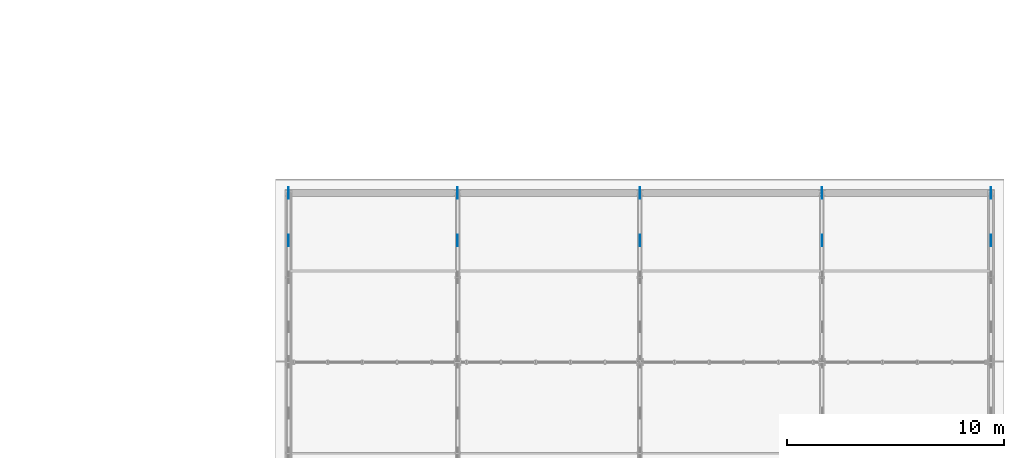
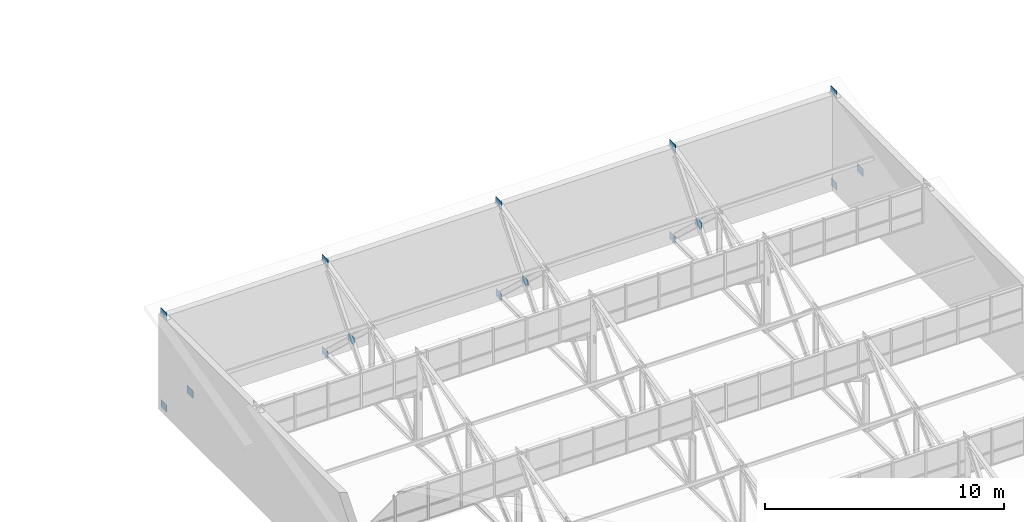
# One storey, part 99 of 123: 15 plates.
"""IFC4 building model written with IfcOpenShell, lengths in metres."""

from ifc_helpers import new_model, si_unit, direction, frame, origin, origin_2d, place, context, subcontext, project, spatial, rectangle, extrude, material, layer, layer_set, type_object, element, save


model = new_model("IFC4")

# Units and contexts
model_context = context("Model", 3, precision=1e-05, world=origin(), true_north=direction((0.0, 1.0)))
body_context = subcontext(model_context, "Body", "Model", "MODEL_VIEW")
ifc_project = project(units=[si_unit("LENGTHUNIT", "METRE"), si_unit("AREAUNIT", "SQUARE_METRE"), si_unit("VOLUMEUNIT", "CUBIC_METRE"), si_unit("PLANEANGLEUNIT", "RADIAN"), si_unit("MASSUNIT", "GRAM", prefix="KILO")], contexts=[model_context])

# Site, building, storey
site_placement = place(None, origin())
site = spatial("IfcSite", under=ifc_project, at=site_placement, CompositionType="ELEMENT")
building_placement = place(site_placement, origin())
building = spatial("IfcBuilding", under=site, at=building_placement, Name="Zayran Congress Hotel", CompositionType="ELEMENT")
storey_placement = place(building_placement, frame((0.0, 0.0, 15.0)))
storey = spatial("IfcBuildingStorey", under=building, at=storey_placement, Name="L03", CompositionType="ELEMENT", Elevation=15.0)

# Plates
ifc_material = material(Name="Steel S355", Category="steel")
ifc_layer_1 = layer(ifc_material, 0.02001953125)
ifc_layer_set_1 = layer_set([ifc_layer_1], Name="Steel S355")
plate_type_1 = type_object("IfcPlateType", Name="TP-GS-02", PredefinedType="USERDEFINED", material=ifc_layer_set_1)
for number, where, z_axis, x_axis, name in (
    (1, (151.800048828125, 41.800048828125, -0.18017578125), (0.0, 0.0, 1.0), (0.0, 1.0, 0.0), "V3 Truss Node Gusset Plate 170"),
    (2, (159.60009765625, 41.800048828125, -0.18017578125), (0.0, 0.0, 1.0), (0.0, 1.0, 0.0), "V3 Truss Node Gusset Plate 198"),
    (3, (168.0, 41.800048828125, -0.18017578125), (0.0, 0.0, 1.0), (0.0, 1.0, 0.0), "V3 Truss Node Gusset Plate 226"),
    (4, (176.39990234375, 41.800048828125, -0.18017578125), (0.0, 0.0, 1.0), (0.0, 1.0, 0.0), "V3 Truss Node Gusset Plate 254"),
    (5, (184.199951171875, 41.800048828125, -0.18017578125), (0.0, 0.0, 1.0), (0.0, 1.0, 0.0), "V3 Truss Node Gusset Plate 282"),
):
    element("IfcPlate", number, at=place(storey_placement, frame(where, z_axis=z_axis, x_axis=x_axis)), inside=storey, type_object=plate_type_1, Name=name, ObjectType="GUSSET_PLATE", PredefinedType="USERDEFINED", context=body_context, shape_type="SweptSolid", body=[
        extrude(rectangle(XDim=0.47998046875, YDim=0.02001953125, at=origin_2d()), origin(), (0.0, 0.0, 1.0), 0.360107421875),
    ])
ifc_layer_2 = layer(ifc_material, 0.02197265625)
ifc_layer_set_2 = layer_set([ifc_layer_2], Name="Steel S355")
plate_type_2 = type_object("IfcPlateType", Name="TP-GS-04", PredefinedType="USERDEFINED", material=ifc_layer_set_2)
for number, where, z_axis, x_axis, name in (
    (6, (151.800048828125, 41.800048828125, 4.50439453125), (0.0, 0.0, 1.0), (0.0, 1.0, 0.0), "V3 Truss Node Gusset Plate 192"),
    (7, (151.800048828125, 39.605224609375, 1.862548828125), (0.0, 0.0, 1.0), (0.0, 1.0, 0.0), "V3 Brace Crossing Gusset Plate 194"),
    (8, (159.60009765625, 41.800048828125, 4.50439453125), (0.0, 0.0, 1.0), (0.0, 1.0, 0.0), "V3 Truss Node Gusset Plate 220"),
    (9, (159.60009765625, 39.605224609375, 1.862548828125), (0.0, 0.0, 1.0), (0.0, 1.0, 0.0), "V3 Brace Crossing Gusset Plate 222"),
    (10, (168.0, 41.800048828125, 4.50439453125), (0.0, 0.0, 1.0), (0.0, 1.0, 0.0), "V3 Truss Node Gusset Plate 248"),
    (11, (168.0, 39.605224609375, 1.862548828125), (0.0, 0.0, 1.0), (0.0, 1.0, 0.0), "V3 Brace Crossing Gusset Plate 250"),
    (12, (176.39990234375, 41.800048828125, 4.50439453125), (0.0, 0.0, 1.0), (0.0, 1.0, 0.0), "V3 Truss Node Gusset Plate 276"),
    (13, (176.39990234375, 39.605224609375, 1.862548828125), (0.0, 0.0, 1.0), (0.0, 1.0, 0.0), "V3 Brace Crossing Gusset Plate 278"),
    (14, (184.199951171875, 41.800048828125, 4.50439453125), (0.0, 0.0, 1.0), (0.0, 1.0, 0.0), "V3 Truss Node Gusset Plate 304"),
    (15, (184.199951171875, 39.605224609375, 1.862548828125), (0.0, 0.0, 1.0), (0.0, 1.0, 0.0), "V3 Brace Crossing Gusset Plate 306"),
):
    element("IfcPlate", number, at=place(storey_placement, frame(where, z_axis=z_axis, x_axis=x_axis)), inside=storey, type_object=plate_type_2, Name=name, ObjectType="GUSSET_PLATE", PredefinedType="USERDEFINED", context=body_context, shape_type="SweptSolid", body=[
        extrude(rectangle(XDim=0.52001953125, YDim=0.02197265625, at=origin_2d()), origin(), (0.0, 0.0, 1.0), 0.3798828125),
    ])

save(model, "model.ifc")
